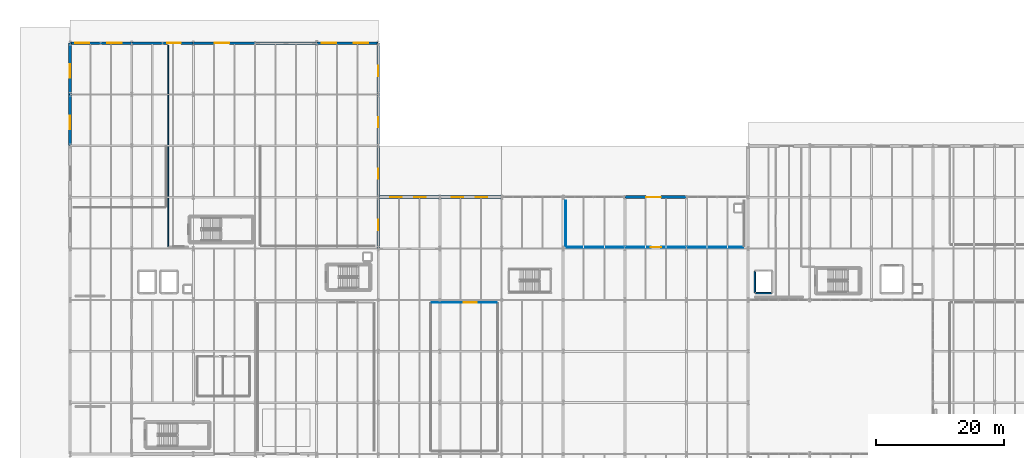
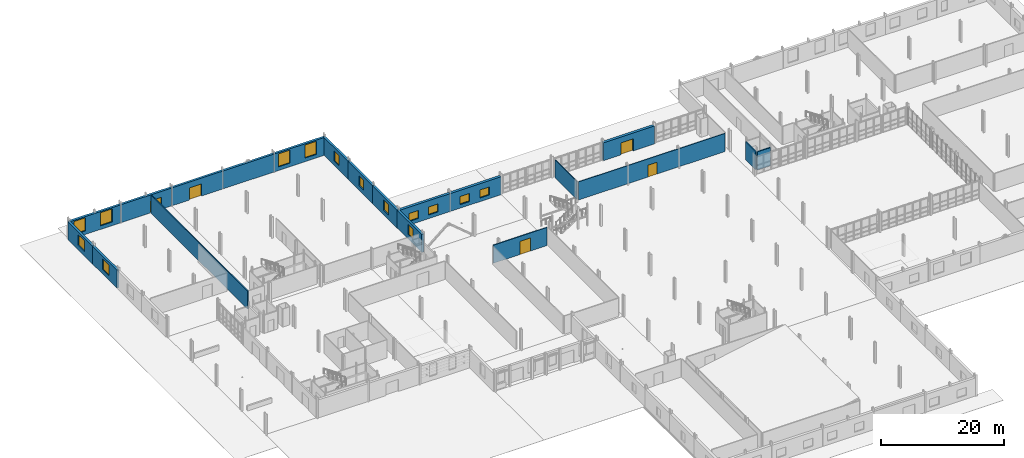
# One storey, part 62 of 78: 20 walls, 14 windows, 5 doors, 19 openings.
"""IFC4 building model written with IfcOpenShell, lengths in metres."""

from ifc_helpers import new_model, si_unit, direction, frame, frame_2d, origin, place, context, subcontext, project, spatial, rectangle, extrude, material, layer, layer_set, type_object, element, fill, save


model = new_model("IFC4")

# Units and contexts
model_context = context("Model", 3, precision=1e-05, world=origin(), true_north=direction((0.0, 1.0)))
body_context = subcontext(model_context, "Body", "Model", "MODEL_VIEW")
ifc_project = project(units=[si_unit("LENGTHUNIT", "METRE"), si_unit("AREAUNIT", "SQUARE_METRE"), si_unit("VOLUMEUNIT", "CUBIC_METRE"), si_unit("PLANEANGLEUNIT", "RADIAN"), si_unit("MASSUNIT", "GRAM", prefix="KILO")], contexts=[model_context])

# Site, building, storey
site_placement = place(None, origin())
site = spatial("IfcSite", under=ifc_project, at=site_placement, CompositionType="ELEMENT")
building_placement = place(site_placement, origin())
building = spatial("IfcBuilding", under=site, at=building_placement, Name="Alderhovde Museum", CompositionType="ELEMENT")
storey_placement = place(building_placement, origin())
storey = spatial("IfcBuildingStorey", under=building, at=storey_placement, Name="L00", CompositionType="ELEMENT", Elevation=0.0)

# Wall, openings, windows
ifc_material_1 = material(Name="Nordic Granite Plinth Masonry", Category="masonry")
ifc_layer_1 = layer(ifc_material_1, 0.419921875)
ifc_layer_set_1 = layer_set([ifc_layer_1], Name="Nordic Granite Plinth Masonry")
wall_type_1 = type_object("IfcWallType", Name="EW-GRAN-420", PredefinedType="SOLIDWALL", material=ifc_layer_set_1)
wall_1_placement = place(storey_placement, frame((9.6201171875, 112.0, 0.0), z_axis=(0.0, 0.0, 1.0), x_axis=(1.0, 0.0, 0.0)))
wall_1 = element("IfcWall", 1, at=wall_1_placement, inside=storey, type_object=wall_type_1, Name="L00 North Wing Beaux-Arts Wall 115", PredefinedType="SOLIDWALL", context=body_context, shape_type="SweptSolid", body=[
    extrude(rectangle(XDim=9.559814453125, YDim=0.419921875, at=frame_2d((4.77978515625, 0.0))), origin(), (0.0, 0.0, 1.0), 3.56005859375),
])
opening_1_placement = place(wall_1_placement, frame((0.800048828125, 0.0, 0.719970703125)))
opening_1 = element("IfcOpeningElement", 2, at=opening_1_placement, cuts=wall_1, Name="Opening W04", PredefinedType="OPENING", context=body_context, shape_type="SweptSolid", body=[
    extrude(rectangle(XDim=2.199951171875, YDim=2.60009765625, at=frame_2d((1.10009765625, 1.300048828125))), frame((0.0, 0.219970703125, 0.0), z_axis=(0.0, -1.0, 0.0), x_axis=(1.0, 0.0, 0.0)), (0.0, 0.0, 1.0), 0.43994140625),
])
opening_2_placement = place(wall_1_placement, frame((5.800048828125, 0.0, 0.719970703125)))
opening_2 = element("IfcOpeningElement", 3, at=opening_2_placement, cuts=wall_1, Name="Opening W04", PredefinedType="OPENING", context=body_context, shape_type="SweptSolid", body=[
    extrude(rectangle(XDim=2.199951171875, YDim=2.60009765625, at=frame_2d((1.10009765625, 1.300048828125))), frame((0.0, 0.219970703125, 0.0), z_axis=(0.0, -1.0, 0.0), x_axis=(1.0, 0.0, 0.0)), (0.0, 0.0, 1.0), 0.43994140625),
])
ifc_material_2 = material(Name="Triple-Glazed Low-E Bronze-Anodised Aluminium", Category="aluminium")
window_type_1 = type_object("IfcWindowType", Name="WIN-BA-2200x2600", PartitioningType="DOUBLE_PANEL_VERTICAL", PredefinedType="WINDOW", material=ifc_material_2)
window_1_placement = place(opening_1_placement, origin())
window_1 = element("IfcWindow", 4, at=window_1_placement, inside=storey, type_object=window_type_1, Name="L00 Facade Window 91", OverallHeight=2.60009765625, OverallWidth=2.199951171875, PartitioningType="SINGLE_PANEL", PredefinedType="WINDOW", context=body_context, shape_type="SweptSolid", body=[
    extrude(rectangle(XDim=2.199951171875, YDim=2.60009765625, at=frame_2d((1.10009765625, 1.300048828125))), frame((0.0, 0.030029296875, 0.0), z_axis=(0.0, -1.0, 0.0), x_axis=(1.0, 0.0, 0.0)), (0.0, 0.0, 1.0), 0.06005859375),
])
fill(opening_1, window_1)
window_2_placement = place(opening_2_placement, origin())
window_2 = element("IfcWindow", 5, at=window_2_placement, inside=storey, type_object=window_type_1, Name="L00 Facade Window 92", OverallHeight=2.60009765625, OverallWidth=2.199951171875, PartitioningType="SINGLE_PANEL", PredefinedType="WINDOW", context=body_context, shape_type="SweptSolid", body=[
    extrude(rectangle(XDim=2.199951171875, YDim=2.60009765625, at=frame_2d((1.10009765625, 1.300048828125))), frame((0.0, 0.030029296875, 0.0), z_axis=(0.0, -1.0, 0.0), x_axis=(1.0, 0.0, 0.0)), (0.0, 0.0, 1.0), 0.06005859375),
])
fill(opening_2, window_2)

# Wall, opening, door
wall_2_placement = place(storey_placement, frame((19.219970703125, 112.0, 0.0), z_axis=(0.0, 0.0, 1.0), x_axis=(1.0, 0.0, 0.0)))
wall_2 = element("IfcWall", 6, at=wall_2_placement, inside=storey, type_object=wall_type_1, Name="L00 North Wing Beaux-Arts Wall 116", PredefinedType="SOLIDWALL", context=body_context, shape_type="SweptSolid", body=[
    extrude(rectangle(XDim=9.56005859375, YDim=0.419921875, at=frame_2d((4.780029296875, 0.0))), origin(), (0.0, 0.0, 1.0), 3.56005859375),
])
opening_3_placement = place(wall_2_placement, frame((5.550048828125, 0.0, 0.0)))
opening_3 = element("IfcOpeningElement", 7, at=opening_3_placement, cuts=wall_2, Name="Opening ED03", PredefinedType="OPENING", context=body_context, shape_type="SweptSolid", body=[
    extrude(rectangle(XDim=2.10009765625, YDim=2.39990234375, at=frame_2d((1.050048828125, 1.199951171875))), frame((0.0, 0.219970703125, 0.0), z_axis=(0.0, -1.0, 0.0), x_axis=(1.0, 0.0, 0.0)), (0.0, 0.0, 1.0), 0.43994140625),
])
ifc_material_3 = material(Name="Thermally Broken Bronze-Anodised Aluminium and Laminated Glass", Category="aluminium")
door_type_1 = type_object("IfcDoorType", Name="DR-EXT-2100x2400", OperationType="NOTDEFINED", PredefinedType="DOOR", material=ifc_material_3)
door_1_placement = place(opening_3_placement, origin())
door_1 = element("IfcDoor", 8, at=door_1_placement, inside=storey, type_object=door_type_1, Name="Stair ST2 Protected Discharge Exit Door", OperationType="DOUBLE_DOOR_SINGLE_SWING", OverallHeight=2.39990234375, OverallWidth=2.10009765625, PredefinedType="DOOR", context=body_context, shape_type="SweptSolid", body=[
    extrude(rectangle(XDim=2.10009765625, YDim=2.39990234375, at=frame_2d((1.050048828125, 1.199951171875))), frame((0.0, 0.02490234375, 0.0), z_axis=(0.0, -1.0, 0.0), x_axis=(1.0, 0.0, 0.0)), (0.0, 0.0, 1.0), 0.050048828125),
])
fill(opening_3, door_1)

wall_3_placement = place(storey_placement, frame((28.820068359375, 112.0, 0.0), z_axis=(0.0, 0.0, 1.0), x_axis=(1.0, 0.0, 0.0)))
wall_3 = element("IfcWall", 9, at=wall_3_placement, inside=storey, type_object=wall_type_1, Name="L00 North Wing Beaux-Arts Wall 117", PredefinedType="SOLIDWALL", context=body_context, shape_type="SweptSolid", body=[
    extrude(rectangle(XDim=9.559814453125, YDim=0.419921875, at=frame_2d((4.77978515625, 0.0))), origin(), (0.0, 0.0, 1.0), 3.56005859375),
])
opening_4_placement = place(wall_3_placement, frame((3.300048828125, 0.0, 0.0)))
opening_4 = element("IfcOpeningElement", 10, at=opening_4_placement, cuts=wall_3, Name="Opening ED01", PredefinedType="OPENING", context=body_context, shape_type="SweptSolid", body=[
    extrude(rectangle(XDim=2.300048828125, YDim=2.39990234375, at=frame_2d((1.14990234375, 1.199951171875))), frame((0.0, 0.219970703125, 0.0), z_axis=(0.0, -1.0, 0.0), x_axis=(1.0, 0.0, 0.0)), (0.0, 0.0, 1.0), 0.43994140625),
])
ifc_material_4 = material(Name="Thermally Broken Bronze-Anodised Aluminium and Laminated Glass", Category="aluminium")
door_type_2 = type_object("IfcDoorType", Name="DR-EXT-2300x2400", OperationType="NOTDEFINED", PredefinedType="DOOR", material=ifc_material_4)
door_2_placement = place(opening_4_placement, origin())
door_2 = element("IfcDoor", 11, at=door_2_placement, inside=storey, type_object=door_type_2, Name="North Street Exit Door", OperationType="DOUBLE_DOOR_SINGLE_SWING", OverallHeight=2.39990234375, OverallWidth=2.300048828125, PredefinedType="DOOR", context=body_context, shape_type="SweptSolid", body=[
    extrude(rectangle(XDim=2.300048828125, YDim=2.39990234375, at=frame_2d((1.14990234375, 1.199951171875))), frame((0.0, 0.02490234375, 0.0), z_axis=(0.0, -1.0, 0.0), x_axis=(1.0, 0.0, 0.0)), (0.0, 0.0, 1.0), 0.050048828125),
])
fill(opening_4, door_2)

# Wall
wall_4_placement = place(storey_placement, frame((38.419921875, 112.0, 0.0), z_axis=(0.0, 0.0, 1.0), x_axis=(1.0, 0.0, 0.0)))
element("IfcWall", 12, at=wall_4_placement, inside=storey, type_object=wall_type_1, Name="L00 North Wing Beaux-Arts Wall 118", PredefinedType="SOLIDWALL", context=body_context, shape_type="SweptSolid", body=[
    extrude(rectangle(XDim=9.56005859375, YDim=0.419921875, at=frame_2d((4.780029296875, 0.0))), origin(), (0.0, 0.0, 1.0), 3.56005859375),
])

# Wall, openings, windows
wall_5_placement = place(storey_placement, frame((48.02001953125, 112.0, 0.0), z_axis=(0.0, 0.0, 1.0), x_axis=(1.0, 0.0, 0.0)))
wall_5 = element("IfcWall", 13, at=wall_5_placement, inside=storey, type_object=wall_type_1, Name="L00 North Wing Beaux-Arts Wall 119", PredefinedType="SOLIDWALL", context=body_context, shape_type="SweptSolid", body=[
    extrude(rectangle(XDim=9.56005859375, YDim=0.419921875, at=frame_2d((4.780029296875, 0.0))), origin(), (0.0, 0.0, 1.0), 3.56005859375),
])
opening_5_placement = place(wall_5_placement, frame((0.800048828125, 0.0, 0.719970703125)))
opening_5 = element("IfcOpeningElement", 14, at=opening_5_placement, cuts=wall_5, Name="Opening W04", PredefinedType="OPENING", context=body_context, shape_type="SweptSolid", body=[
    extrude(rectangle(XDim=2.199951171875, YDim=2.60009765625, at=frame_2d((1.10009765625, 1.300048828125))), frame((0.0, 0.219970703125, 0.0), z_axis=(0.0, -1.0, 0.0), x_axis=(1.0, 0.0, 0.0)), (0.0, 0.0, 1.0), 0.43994140625),
])
opening_6_placement = place(wall_5_placement, frame((5.800048828125, 0.0, 0.719970703125)))
opening_6 = element("IfcOpeningElement", 15, at=opening_6_placement, cuts=wall_5, Name="Opening W04", PredefinedType="OPENING", context=body_context, shape_type="SweptSolid", body=[
    extrude(rectangle(XDim=2.199951171875, YDim=2.60009765625, at=frame_2d((1.10009765625, 1.300048828125))), frame((0.0, 0.219970703125, 0.0), z_axis=(0.0, -1.0, 0.0), x_axis=(1.0, 0.0, 0.0)), (0.0, 0.0, 1.0), 0.43994140625),
])
window_3_placement = place(opening_5_placement, origin())
window_3 = element("IfcWindow", 16, at=window_3_placement, inside=storey, type_object=window_type_1, Name="L00 Facade Window 93", OverallHeight=2.60009765625, OverallWidth=2.199951171875, PartitioningType="SINGLE_PANEL", PredefinedType="WINDOW", context=body_context, shape_type="SweptSolid", body=[
    extrude(rectangle(XDim=2.199951171875, YDim=2.60009765625, at=frame_2d((1.10009765625, 1.300048828125))), frame((0.0, 0.030029296875, 0.0), z_axis=(0.0, -1.0, 0.0), x_axis=(1.0, 0.0, 0.0)), (0.0, 0.0, 1.0), 0.06005859375),
])
fill(opening_5, window_3)
window_4_placement = place(opening_6_placement, origin())
window_4 = element("IfcWindow", 17, at=window_4_placement, inside=storey, type_object=window_type_1, Name="L00 Facade Window 94", OverallHeight=2.60009765625, OverallWidth=2.199951171875, PartitioningType="SINGLE_PANEL", PredefinedType="WINDOW", context=body_context, shape_type="SweptSolid", body=[
    extrude(rectangle(XDim=2.199951171875, YDim=2.60009765625, at=frame_2d((1.10009765625, 1.300048828125))), frame((0.0, 0.030029296875, 0.0), z_axis=(0.0, -1.0, 0.0), x_axis=(1.0, 0.0, 0.0)), (0.0, 0.0, 1.0), 0.06005859375),
])
fill(opening_6, window_4)

# Wall, opening, window
wall_6_placement = place(storey_placement, frame((57.60009765625, 80.02001953125, 0.0), z_axis=(0.0, 0.0, 1.0), x_axis=(0.0, 1.0, 0.0)))
wall_6 = element("IfcWall", 18, at=wall_6_placement, inside=storey, type_object=wall_type_1, Name="L00 North Wing East Wall 121", PredefinedType="SOLIDWALL", context=body_context, shape_type="SweptSolid", body=[
    extrude(rectangle(XDim=7.9599609375, YDim=0.419921875, at=frame_2d((3.97998046875, 0.0))), origin(), (0.0, 0.0, 1.0), 3.56005859375),
])
opening_7_placement = place(wall_6_placement, frame((2.85009765625, 0.0, 0.89990234375)))
opening_7 = element("IfcOpeningElement", 19, at=opening_7_placement, cuts=wall_6, Name="Opening W17", PredefinedType="OPENING", context=body_context, shape_type="SweptSolid", body=[
    extrude(rectangle(XDim=1.60009765625, YDim=2.0, at=frame_2d((0.800048828125, 1.0))), frame((0.0, 0.219970703125, 0.0), z_axis=(0.0, -1.0, 0.0), x_axis=(1.0, 0.0, 0.0)), (0.0, 0.0, 1.0), 0.43994140625),
])
ifc_material_5 = material(Name="Triple-Glazed Low-E Bronze-Anodised Aluminium", Category="aluminium")
window_type_2 = type_object("IfcWindowType", Name="WIN-LAB-1600x2000", PartitioningType="DOUBLE_PANEL_VERTICAL", PredefinedType="WINDOW", material=ifc_material_5)
window_5_placement = place(opening_7_placement, origin())
window_5 = element("IfcWindow", 20, at=window_5_placement, inside=storey, type_object=window_type_2, Name="L00 Facade Window 96", OverallHeight=2.0, OverallWidth=1.60009765625, PartitioningType="SINGLE_PANEL", PredefinedType="WINDOW", context=body_context, shape_type="SweptSolid", body=[
    extrude(rectangle(XDim=1.60009765625, YDim=2.0, at=frame_2d((0.800048828125, 1.0))), frame((0.0, 0.030029296875, 0.0), z_axis=(0.0, -1.0, 0.0), x_axis=(1.0, 0.0, 0.0)), (0.0, 0.0, 1.0), 0.06005859375),
])
fill(opening_7, window_5)

wall_7_placement = place(storey_placement, frame((57.60009765625, 88.02001953125, 0.0), z_axis=(0.0, 0.0, 1.0), x_axis=(0.0, 1.0, 0.0)))
wall_7 = element("IfcWall", 21, at=wall_7_placement, inside=storey, type_object=wall_type_1, Name="L00 North Wing East Wall 123", PredefinedType="SOLIDWALL", context=body_context, shape_type="SweptSolid", body=[
    extrude(rectangle(XDim=7.9599609375, YDim=0.419921875, at=frame_2d((3.97998046875, 0.0))), origin(), (0.0, 0.0, 1.0), 3.56005859375),
])
opening_8_placement = place(wall_7_placement, frame((2.85009765625, 0.0, 0.89990234375)))
opening_8 = element("IfcOpeningElement", 22, at=opening_8_placement, cuts=wall_7, Name="Opening W17", PredefinedType="OPENING", context=body_context, shape_type="SweptSolid", body=[
    extrude(rectangle(XDim=1.60009765625, YDim=2.0, at=frame_2d((0.800048828125, 1.0))), frame((0.0, 0.219970703125, 0.0), z_axis=(0.0, -1.0, 0.0), x_axis=(1.0, 0.0, 0.0)), (0.0, 0.0, 1.0), 0.43994140625),
])
window_6_placement = place(opening_8_placement, origin())
window_6 = element("IfcWindow", 23, at=window_6_placement, inside=storey, type_object=window_type_2, Name="L00 Facade Window 98", OverallHeight=2.0, OverallWidth=1.60009765625, PartitioningType="SINGLE_PANEL", PredefinedType="WINDOW", context=body_context, shape_type="SweptSolid", body=[
    extrude(rectangle(XDim=1.60009765625, YDim=2.0, at=frame_2d((0.800048828125, 1.0))), frame((0.0, 0.030029296875, 0.0), z_axis=(0.0, -1.0, 0.0), x_axis=(1.0, 0.0, 0.0)), (0.0, 0.0, 1.0), 0.06005859375),
])
fill(opening_8, window_6)

wall_8_placement = place(storey_placement, frame((9.60009765625, 96.02001953125, 0.0), z_axis=(0.0, 0.0, 1.0), x_axis=(0.0, 1.0, 0.0)))
wall_8 = element("IfcWall", 24, at=wall_8_placement, inside=storey, type_object=wall_type_1, Name="L00 North Wing West Wall 124", PredefinedType="SOLIDWALL", context=body_context, shape_type="SweptSolid", body=[
    extrude(rectangle(XDim=7.9599609375, YDim=0.419921875, at=frame_2d((3.97998046875, 0.0))), origin(), (0.0, 0.0, 1.0), 3.56005859375),
])
opening_9_placement = place(wall_8_placement, frame((2.60009765625, 0.0, 0.89990234375)))
opening_9 = element("IfcOpeningElement", 25, at=opening_9_placement, cuts=wall_8, Name="Opening W10", PredefinedType="OPENING", context=body_context, shape_type="SweptSolid", body=[
    extrude(rectangle(XDim=2.10009765625, YDim=2.10009765625, at=frame_2d((1.050048828125, 1.050048828125))), frame((0.0, 0.219970703125, 0.0), z_axis=(0.0, -1.0, 0.0), x_axis=(1.0, 0.0, 0.0)), (0.0, 0.0, 1.0), 0.43994140625),
])
ifc_material_6 = material(Name="Triple-Glazed Low-E Bronze-Anodised Aluminium", Category="aluminium")
window_type_3 = type_object("IfcWindowType", Name="WIN-BA-2100x2100", PartitioningType="DOUBLE_PANEL_VERTICAL", PredefinedType="WINDOW", material=ifc_material_6)
window_7_placement = place(opening_9_placement, origin())
window_7 = element("IfcWindow", 26, at=window_7_placement, inside=storey, type_object=window_type_3, Name="L00 Facade Window 99", OverallHeight=2.10009765625, OverallWidth=2.10009765625, PartitioningType="SINGLE_PANEL", PredefinedType="WINDOW", context=body_context, shape_type="SweptSolid", body=[
    extrude(rectangle(XDim=2.10009765625, YDim=2.10009765625, at=frame_2d((1.050048828125, 1.050048828125))), frame((0.0, 0.030029296875, 0.0), z_axis=(0.0, -1.0, 0.0), x_axis=(1.0, 0.0, 0.0)), (0.0, 0.0, 1.0), 0.06005859375),
])
fill(opening_9, window_7)

wall_9_placement = place(storey_placement, frame((57.60009765625, 96.02001953125, 0.0), z_axis=(0.0, 0.0, 1.0), x_axis=(0.0, 1.0, 0.0)))
wall_9 = element("IfcWall", 27, at=wall_9_placement, inside=storey, type_object=wall_type_1, Name="L00 North Wing East Wall 125", PredefinedType="SOLIDWALL", context=body_context, shape_type="SweptSolid", body=[
    extrude(rectangle(XDim=7.9599609375, YDim=0.419921875, at=frame_2d((3.97998046875, 0.0))), origin(), (0.0, 0.0, 1.0), 3.56005859375),
])
opening_10_placement = place(wall_9_placement, frame((2.85009765625, 0.0, 0.89990234375)))
opening_10 = element("IfcOpeningElement", 28, at=opening_10_placement, cuts=wall_9, Name="Opening W17", PredefinedType="OPENING", context=body_context, shape_type="SweptSolid", body=[
    extrude(rectangle(XDim=1.60009765625, YDim=2.0, at=frame_2d((0.800048828125, 1.0))), frame((0.0, 0.219970703125, 0.0), z_axis=(0.0, -1.0, 0.0), x_axis=(1.0, 0.0, 0.0)), (0.0, 0.0, 1.0), 0.43994140625),
])
window_8_placement = place(opening_10_placement, origin())
window_8 = element("IfcWindow", 29, at=window_8_placement, inside=storey, type_object=window_type_2, Name="L00 Facade Window 100", OverallHeight=2.0, OverallWidth=1.60009765625, PartitioningType="SINGLE_PANEL", PredefinedType="WINDOW", context=body_context, shape_type="SweptSolid", body=[
    extrude(rectangle(XDim=1.60009765625, YDim=2.0, at=frame_2d((0.800048828125, 1.0))), frame((0.0, 0.030029296875, 0.0), z_axis=(0.0, -1.0, 0.0), x_axis=(1.0, 0.0, 0.0)), (0.0, 0.0, 1.0), 0.06005859375),
])
fill(opening_10, window_8)

wall_10_placement = place(storey_placement, frame((9.60009765625, 104.02001953125, 0.0), z_axis=(0.0, 0.0, 1.0), x_axis=(0.0, 1.0, 0.0)))
wall_10 = element("IfcWall", 30, at=wall_10_placement, inside=storey, type_object=wall_type_1, Name="L00 North Wing West Wall 126", PredefinedType="SOLIDWALL", context=body_context, shape_type="SweptSolid", body=[
    extrude(rectangle(XDim=7.9599609375, YDim=0.419921875, at=frame_2d((3.97998046875, 0.0))), origin(), (0.0, 0.0, 1.0), 3.56005859375),
])
opening_11_placement = place(wall_10_placement, frame((2.60009765625, 0.0, 0.89990234375)))
opening_11 = element("IfcOpeningElement", 31, at=opening_11_placement, cuts=wall_10, Name="Opening W10", PredefinedType="OPENING", context=body_context, shape_type="SweptSolid", body=[
    extrude(rectangle(XDim=2.10009765625, YDim=2.10009765625, at=frame_2d((1.050048828125, 1.050048828125))), frame((0.0, 0.219970703125, 0.0), z_axis=(0.0, -1.0, 0.0), x_axis=(1.0, 0.0, 0.0)), (0.0, 0.0, 1.0), 0.43994140625),
])
window_9_placement = place(opening_11_placement, origin())
window_9 = element("IfcWindow", 32, at=window_9_placement, inside=storey, type_object=window_type_3, Name="L00 Facade Window 101", OverallHeight=2.10009765625, OverallWidth=2.10009765625, PartitioningType="SINGLE_PANEL", PredefinedType="WINDOW", context=body_context, shape_type="SweptSolid", body=[
    extrude(rectangle(XDim=2.10009765625, YDim=2.10009765625, at=frame_2d((1.050048828125, 1.050048828125))), frame((0.0, 0.030029296875, 0.0), z_axis=(0.0, -1.0, 0.0), x_axis=(1.0, 0.0, 0.0)), (0.0, 0.0, 1.0), 0.06005859375),
])
fill(opening_11, window_9)

wall_11_placement = place(storey_placement, frame((57.60009765625, 104.02001953125, 0.0), z_axis=(0.0, 0.0, 1.0), x_axis=(0.0, 1.0, 0.0)))
wall_11 = element("IfcWall", 33, at=wall_11_placement, inside=storey, type_object=wall_type_1, Name="L00 North Wing East Wall 127", PredefinedType="SOLIDWALL", context=body_context, shape_type="SweptSolid", body=[
    extrude(rectangle(XDim=7.9599609375, YDim=0.419921875, at=frame_2d((3.97998046875, 0.0))), origin(), (0.0, 0.0, 1.0), 3.56005859375),
])
opening_12_placement = place(wall_11_placement, frame((2.85009765625, 0.0, 0.89990234375)))
opening_12 = element("IfcOpeningElement", 34, at=opening_12_placement, cuts=wall_11, Name="Opening W17", PredefinedType="OPENING", context=body_context, shape_type="SweptSolid", body=[
    extrude(rectangle(XDim=1.60009765625, YDim=2.0, at=frame_2d((0.800048828125, 1.0))), frame((0.0, 0.219970703125, 0.0), z_axis=(0.0, -1.0, 0.0), x_axis=(1.0, 0.0, 0.0)), (0.0, 0.0, 1.0), 0.43994140625),
])
window_10_placement = place(opening_12_placement, origin())
window_10 = element("IfcWindow", 35, at=window_10_placement, inside=storey, type_object=window_type_2, Name="L00 Facade Window 102", OverallHeight=2.0, OverallWidth=1.60009765625, PartitioningType="SINGLE_PANEL", PredefinedType="WINDOW", context=body_context, shape_type="SweptSolid", body=[
    extrude(rectangle(XDim=1.60009765625, YDim=2.0, at=frame_2d((0.800048828125, 1.0))), frame((0.0, 0.030029296875, 0.0), z_axis=(0.0, -1.0, 0.0), x_axis=(1.0, 0.0, 0.0)), (0.0, 0.0, 1.0), 0.06005859375),
])
fill(opening_12, window_10)

# Wall, openings, windows
ifc_material_7 = material(Name="Nordic Granite Ashlar on Concrete C35/45", Category="masonry")
ifc_layer_2 = layer(ifc_material_7, 0.47998046875)
ifc_layer_set_2 = layer_set([ifc_layer_2], Name="Nordic Granite Ashlar on Concrete C35/45")
wall_type_2 = type_object("IfcWallType", Name="EW-GRAN-480", PredefinedType="SOLIDWALL", material=ifc_layer_set_2)
wall_12_placement = place(storey_placement, frame((57.6201171875, 88.0, 0.0), z_axis=(0.0, 0.0, 1.0), x_axis=(1.0, 0.0, 0.0)))
wall_12 = element("IfcWall", 36, at=wall_12_placement, inside=storey, type_object=wall_type_2, Name="L00 North Link Beaux-Arts Wall 112", PredefinedType="SOLIDWALL", context=body_context, shape_type="SweptSolid", body=[
    extrude(rectangle(XDim=9.559814453125, YDim=0.47998046875, at=frame_2d((4.77978515625, 0.0))), origin(), (0.0, 0.0, 1.0), 3.56005859375),
])
opening_13_placement = place(wall_12_placement, frame((1.85009765625, 0.0, 0.719970703125)))
opening_13 = element("IfcOpeningElement", 37, at=opening_13_placement, cuts=wall_12, Name="Opening W13", PredefinedType="OPENING", context=body_context, shape_type="SweptSolid", body=[
    extrude(rectangle(XDim=1.800048828125, YDim=1.60009765625, at=frame_2d((0.89990234375, 0.800048828125))), frame((0.0, 0.25, 0.0), z_axis=(0.0, -1.0, 0.0), x_axis=(1.0, 0.0, 0.0)), (0.0, 0.0, 1.0), 0.5),
])
opening_14_placement = place(wall_12_placement, frame((5.550048828125, 0.0, 0.719970703125)))
opening_14 = element("IfcOpeningElement", 38, at=opening_14_placement, cuts=wall_12, Name="Opening W13", PredefinedType="OPENING", context=body_context, shape_type="SweptSolid", body=[
    extrude(rectangle(XDim=1.800048828125, YDim=1.60009765625, at=frame_2d((0.89990234375, 0.800048828125))), frame((0.0, 0.25, 0.0), z_axis=(0.0, -1.0, 0.0), x_axis=(1.0, 0.0, 0.0)), (0.0, 0.0, 1.0), 0.5),
])
ifc_material_8 = material(Name="Triple-Glazed Low-E Bronze-Anodised Aluminium", Category="aluminium")
window_type_4 = type_object("IfcWindowType", Name="WIN-ATT-1800x1600", PartitioningType="DOUBLE_PANEL_VERTICAL", PredefinedType="WINDOW", material=ifc_material_8)
window_11_placement = place(opening_13_placement, origin())
window_11 = element("IfcWindow", 39, at=window_11_placement, inside=storey, type_object=window_type_4, Name="L00 Facade Window 87", OverallHeight=1.60009765625, OverallWidth=1.800048828125, PartitioningType="SINGLE_PANEL", PredefinedType="WINDOW", context=body_context, shape_type="SweptSolid", body=[
    extrude(rectangle(XDim=1.800048828125, YDim=1.60009765625, at=frame_2d((0.89990234375, 0.800048828125))), frame((0.0, 0.030029296875, 0.0), z_axis=(0.0, -1.0, 0.0), x_axis=(1.0, 0.0, 0.0)), (0.0, 0.0, 1.0), 0.06005859375),
])
fill(opening_13, window_11)
window_12_placement = place(opening_14_placement, origin())
window_12 = element("IfcWindow", 40, at=window_12_placement, inside=storey, type_object=window_type_4, Name="L00 Facade Window 88", OverallHeight=1.60009765625, OverallWidth=1.800048828125, PartitioningType="SINGLE_PANEL", PredefinedType="WINDOW", context=body_context, shape_type="SweptSolid", body=[
    extrude(rectangle(XDim=1.800048828125, YDim=1.60009765625, at=frame_2d((0.89990234375, 0.800048828125))), frame((0.0, 0.030029296875, 0.0), z_axis=(0.0, -1.0, 0.0), x_axis=(1.0, 0.0, 0.0)), (0.0, 0.0, 1.0), 0.06005859375),
])
fill(opening_14, window_12)

wall_13_placement = place(storey_placement, frame((67.219970703125, 88.0, 0.0), z_axis=(0.0, 0.0, 1.0), x_axis=(1.0, 0.0, 0.0)))
wall_13 = element("IfcWall", 41, at=wall_13_placement, inside=storey, type_object=wall_type_2, Name="L00 North Link Beaux-Arts Wall 113", PredefinedType="SOLIDWALL", context=body_context, shape_type="SweptSolid", body=[
    extrude(rectangle(XDim=9.56005859375, YDim=0.47998046875, at=frame_2d((4.780029296875, 0.0))), origin(), (0.0, 0.0, 1.0), 3.56005859375),
])
opening_15_placement = place(wall_13_placement, frame((1.85009765625, 0.0, 0.719970703125)))
opening_15 = element("IfcOpeningElement", 42, at=opening_15_placement, cuts=wall_13, Name="Opening W13", PredefinedType="OPENING", context=body_context, shape_type="SweptSolid", body=[
    extrude(rectangle(XDim=1.800048828125, YDim=1.60009765625, at=frame_2d((0.89990234375, 0.800048828125))), frame((0.0, 0.25, 0.0), z_axis=(0.0, -1.0, 0.0), x_axis=(1.0, 0.0, 0.0)), (0.0, 0.0, 1.0), 0.5),
])
opening_16_placement = place(wall_13_placement, frame((5.550048828125, 0.0, 0.719970703125)))
opening_16 = element("IfcOpeningElement", 43, at=opening_16_placement, cuts=wall_13, Name="Opening W13", PredefinedType="OPENING", context=body_context, shape_type="SweptSolid", body=[
    extrude(rectangle(XDim=1.800048828125, YDim=1.60009765625, at=frame_2d((0.89990234375, 0.800048828125))), frame((0.0, 0.25, 0.0), z_axis=(0.0, -1.0, 0.0), x_axis=(1.0, 0.0, 0.0)), (0.0, 0.0, 1.0), 0.5),
])
window_13_placement = place(opening_15_placement, origin())
window_13 = element("IfcWindow", 44, at=window_13_placement, inside=storey, type_object=window_type_4, Name="L00 Facade Window 89", OverallHeight=1.60009765625, OverallWidth=1.800048828125, PartitioningType="SINGLE_PANEL", PredefinedType="WINDOW", context=body_context, shape_type="SweptSolid", body=[
    extrude(rectangle(XDim=1.800048828125, YDim=1.60009765625, at=frame_2d((0.89990234375, 0.800048828125))), frame((0.0, 0.030029296875, 0.0), z_axis=(0.0, -1.0, 0.0), x_axis=(1.0, 0.0, 0.0)), (0.0, 0.0, 1.0), 0.06005859375),
])
fill(opening_15, window_13)
window_14_placement = place(opening_16_placement, origin())
window_14 = element("IfcWindow", 45, at=window_14_placement, inside=storey, type_object=window_type_4, Name="L00 Facade Window 90", OverallHeight=1.60009765625, OverallWidth=1.800048828125, PartitioningType="SINGLE_PANEL", PredefinedType="WINDOW", context=body_context, shape_type="SweptSolid", body=[
    extrude(rectangle(XDim=1.800048828125, YDim=1.60009765625, at=frame_2d((0.89990234375, 0.800048828125))), frame((0.0, 0.030029296875, 0.0), z_axis=(0.0, -1.0, 0.0), x_axis=(1.0, 0.0, 0.0)), (0.0, 0.0, 1.0), 0.06005859375),
])
fill(opening_16, window_14)

# Wall, opening, door
wall_14_placement = place(storey_placement, frame((96.02001953125, 88.0, 0.0), z_axis=(0.0, 0.0, 1.0), x_axis=(1.0, 0.0, 0.0)))
wall_14 = element("IfcWall", 46, at=wall_14_placement, inside=storey, type_object=wall_type_2, Name="L00 Conservatory North Portal Wall 114", PredefinedType="SOLIDWALL", context=body_context, shape_type="SweptSolid", body=[
    extrude(rectangle(XDim=9.56005859375, YDim=0.47998046875, at=frame_2d((4.780029296875, 0.0))), origin(), (0.0, 0.0, 1.0), 3.56005859375),
])
opening_17_placement = place(wall_14_placement, frame((3.300048828125, 0.0, 0.0)))
opening_17 = element("IfcOpeningElement", 47, at=opening_17_placement, cuts=wall_14, Name="Opening ED01", PredefinedType="OPENING", context=body_context, shape_type="SweptSolid", body=[
    extrude(rectangle(XDim=2.300048828125, YDim=2.39990234375, at=frame_2d((1.14990234375, 1.199951171875))), frame((0.0, 0.25, 0.0), z_axis=(0.0, -1.0, 0.0), x_axis=(1.0, 0.0, 0.0)), (0.0, 0.0, 1.0), 0.5),
])
door_3_placement = place(opening_17_placement, origin())
door_3 = element("IfcDoor", 48, at=door_3_placement, inside=storey, type_object=door_type_2, Name="Conservatory North Plaza Exit Door", OperationType="DOUBLE_DOOR_SINGLE_SWING", OverallHeight=2.39990234375, OverallWidth=2.300048828125, PredefinedType="DOOR", context=body_context, shape_type="SweptSolid", body=[
    extrude(rectangle(XDim=2.300048828125, YDim=2.39990234375, at=frame_2d((1.14990234375, 1.199951171875))), frame((0.0, 0.02490234375, 0.0), z_axis=(0.0, -1.0, 0.0), x_axis=(1.0, 0.0, 0.0)), (0.0, 0.0, 1.0), 0.050048828125),
])
fill(opening_17, door_3)

ifc_material_9 = material(Name="Plywood-Backed Gallery Display Partition", Category="wood")
ifc_layer_3 = layer(ifc_material_9, 0.14990234375)
ifc_layer_set_3 = layer_set([ifc_layer_3], Name="Plywood-Backed Gallery Display Partition")
wall_type_3 = type_object("IfcWallType", Name="IW-GAL-150", PredefinedType="PARTITIONING", material=ifc_layer_set_3)
wall_15_placement = place(storey_placement, frame((65.93994140625, 71.60009765625, 0.0), z_axis=(0.0, 0.0, 1.0), x_axis=(1.0, 0.0, 0.0)))
wall_15 = element("IfcWall", 49, at=wall_15_placement, inside=storey, type_object=wall_type_3, Name="L00 Permanent Sculpture Gallery East Partition Wall N", PredefinedType="PARTITIONING", context=body_context, shape_type="SweptSolid", body=[
    extrude(rectangle(XDim=10.1201171875, YDim=0.14990234375, at=frame_2d((5.06005859375, 0.0))), origin(), (0.0, 0.0, 1.0), 3.60009765625),
])
opening_18_placement = place(wall_15_placement, frame((4.9951171875, 0.0, 0.0)))
opening_18 = element("IfcOpeningElement", 50, at=opening_18_placement, cuts=wall_15, Name="Opening D02", PredefinedType="OPENING", context=body_context, shape_type="SweptSolid", body=[
    extrude(rectangle(XDim=2.0, YDim=2.60009765625, at=frame_2d((1.0, 1.300048828125))), frame((0.0, 0.0849609375, 0.0), z_axis=(0.0, -1.0, 0.0), x_axis=(1.0, 0.0, 0.0)), (0.0, 0.0, 1.0), 0.169921875),
])
ifc_material_10 = material(Name="Exhibition Enfilade Double Door (Steel/Oak)", Category="steel")
door_type_3 = type_object("IfcDoorType", Name="ID-GAL-2000x2600", OperationType="NOTDEFINED", PredefinedType="DOOR", material=ifc_material_10)
door_4_placement = place(opening_18_placement, origin())
door_4 = element("IfcDoor", 51, at=door_4_placement, inside=storey, type_object=door_type_3, Name="L00 Permanent Sculpture Gallery East Door", OperationType="DOUBLE_DOOR_SINGLE_SWING", OverallHeight=2.60009765625, OverallWidth=2.0, PredefinedType="DOOR", context=body_context, shape_type="SweptSolid", body=[
    extrude(rectangle(XDim=2.0, YDim=2.60009765625, at=frame_2d((1.0, 1.300048828125))), frame((0.0, 0.02490234375, 0.0), z_axis=(0.0, -1.0, 0.0), x_axis=(1.0, 0.0, 0.0)), (0.0, 0.0, 1.0), 0.050048828125),
])
fill(opening_18, door_4)

ifc_material_11 = material(Name="Insulated Metal-Stud Room Partition")
ifc_layer_4 = layer(ifc_material_11, 0.125)
ifc_layer_set_4 = layer_set([ifc_layer_4], Name="Insulated Metal-Stud Room Partition")
wall_type_4 = type_object("IfcWallType", Name="IW-PART-125", PredefinedType="PARTITIONING", material=ifc_layer_set_4)
wall_16_placement = place(storey_placement, frame((86.93994140625, 80.199951171875, 0.0), z_axis=(0.0, 0.0, 1.0), x_axis=(1.0, 0.0, 0.0)))
wall_16 = element("IfcWall", 52, at=wall_16_placement, inside=storey, type_object=wall_type_4, Name="L00 Museum Cafe Partition Wall S", PredefinedType="PARTITIONING", context=body_context, shape_type="SweptSolid", body=[
    extrude(rectangle(XDim=27.52001953125, YDim=0.125, at=frame_2d((13.760009765625, 0.0))), origin(), (0.0, 0.0, 1.0), 3.60009765625),
])
opening_19_placement = place(wall_16_placement, frame((13.06201171875, 0.0, 0.0)))
opening_19 = element("IfcOpeningElement", 53, at=opening_19_placement, cuts=wall_16, Name="Opening D05", PredefinedType="OPENING", context=body_context, shape_type="SweptSolid", body=[
    extrude(rectangle(XDim=1.699951171875, YDim=2.35009765625, at=frame_2d((0.85009765625, 1.175048828125))), frame((0.0, 0.072509765625, 0.0), z_axis=(0.0, -1.0, 0.0), x_axis=(1.0, 0.0, 0.0)), (0.0, 0.0, 1.0), 0.14501953125),
])
ifc_material_12 = material(Name="Glazed Cafe and Shop Entrance Door (Steel/Oak)", Category="steel")
door_type_4 = type_object("IfcDoorType", Name="ID-CAFE-1700x2350", OperationType="NOTDEFINED", PredefinedType="DOOR", material=ifc_material_12)
door_5_placement = place(opening_19_placement, origin())
door_5 = element("IfcDoor", 54, at=door_5_placement, inside=storey, type_object=door_type_4, Name="L00 Museum Cafe Door", OperationType="DOUBLE_DOOR_SINGLE_SWING", OverallHeight=2.35009765625, OverallWidth=1.699951171875, PredefinedType="DOOR", context=body_context, shape_type="SweptSolid", body=[
    extrude(rectangle(XDim=1.699951171875, YDim=2.35009765625, at=frame_2d((0.85009765625, 1.175048828125))), frame((0.0, 0.02490234375, 0.0), z_axis=(0.0, -1.0, 0.0), x_axis=(1.0, 0.0, 0.0)), (0.0, 0.0, 1.0), 0.050048828125),
])
fill(opening_19, door_5)

# Walls
wall_17_placement = place(storey_placement, frame((86.800048828125, 80.340087890625, 0.0), z_axis=(0.0, 0.0, 1.0), x_axis=(0.0, 1.0, 0.0)))
element("IfcWall", 55, at=wall_17_placement, inside=storey, type_object=wall_type_4, Name="L00 Museum Cafe Partition Wall W", PredefinedType="PARTITIONING", context=body_context, shape_type="SweptSolid", body=[
    extrude(rectangle(XDim=7.119873046875, YDim=0.125, at=frame_2d((3.56005859375, 0.0))), origin(), (0.0, 0.0, 1.0), 3.60009765625),
])
ifc_material_13 = material(Name="Concrete C40/50 and Fireboard Shaft Wall", Category="concrete")
ifc_layer_5 = layer(ifc_material_13, 0.22998046875)
ifc_layer_set_5 = layer_set([ifc_layer_5], Name="Concrete C40/50 and Fireboard Shaft Wall")
wall_type_5 = type_object("IfcWallType", Name="IW-SHAFT-230", PredefinedType="SOLIDWALL", material=ifc_layer_set_5)
wall_18_placement = place(storey_placement, frame((116.340087890625, 73.06005859375, 0.0), z_axis=(0.0, 0.0, 1.0), x_axis=(1.0, 0.0, 0.0)))
element("IfcWall", 56, at=wall_18_placement, inside=storey, type_object=wall_type_5, Name="L00 Passenger Lift PL-03 Shaft Wall South", PredefinedType="SOLIDWALL", context=body_context, shape_type="SweptSolid", body=[
    extrude(rectangle(XDim=2.52001953125, YDim=0.22998046875, at=frame_2d((1.260009765625, 0.0))), origin(), (0.0, 0.0, 1.0), 3.60009765625),
])
wall_19_placement = place(storey_placement, frame((116.260009765625, 73.139892578125, 0.0), z_axis=(0.0, 0.0, 1.0), x_axis=(0.0, 1.0, 0.0)))
element("IfcWall", 57, at=wall_19_placement, inside=storey, type_object=wall_type_5, Name="L00 Passenger Lift PL-03 Shaft Wall West", PredefinedType="SOLIDWALL", context=body_context, shape_type="SweptSolid", body=[
    extrude(rectangle(XDim=3.320068359375, YDim=0.22998046875, at=frame_2d((1.66015625, 0.0))), origin(), (0.0, 0.0, 1.0), 3.60009765625),
])
ifc_material_14 = material(Name="Fire-Resisting Stair Lobby Wall")
ifc_layer_6 = layer(ifc_material_14, 0.169921875)
ifc_layer_set_6 = layer_set([ifc_layer_6], Name="Fire-Resisting Stair Lobby Wall")
wall_type_6 = type_object("IfcWallType", Name="IW-STAIR-170", PredefinedType="SOLIDWALL", material=ifc_layer_set_6)
wall_20_placement = place(storey_placement, frame((24.89990234375, 80.300048828125, 0.0), z_axis=(0.0, 0.0, 1.0), x_axis=(0.0, 1.0, 0.0)))
element("IfcWall", 58, at=wall_20_placement, inside=storey, type_object=wall_type_6, Name="L00 Protected Exit Corridor ST2 West Wall", PredefinedType="SOLIDWALL", context=body_context, shape_type="SweptSolid", body=[
    extrude(rectangle(XDim=31.39990234375, YDim=0.169921875, at=frame_2d((15.699951171875, 0.0))), origin(), (0.0, 0.0, 1.0), 3.60009765625),
])

save(model, "model.ifc")
